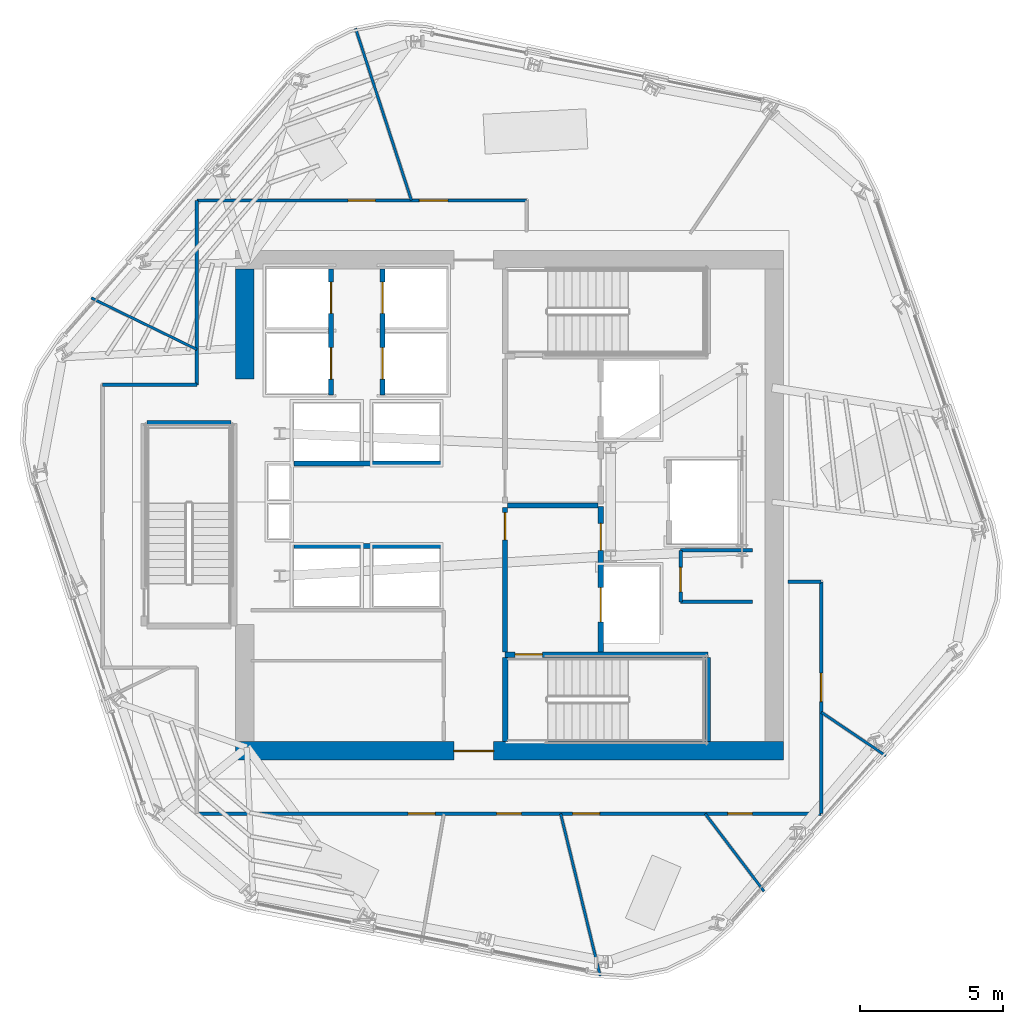
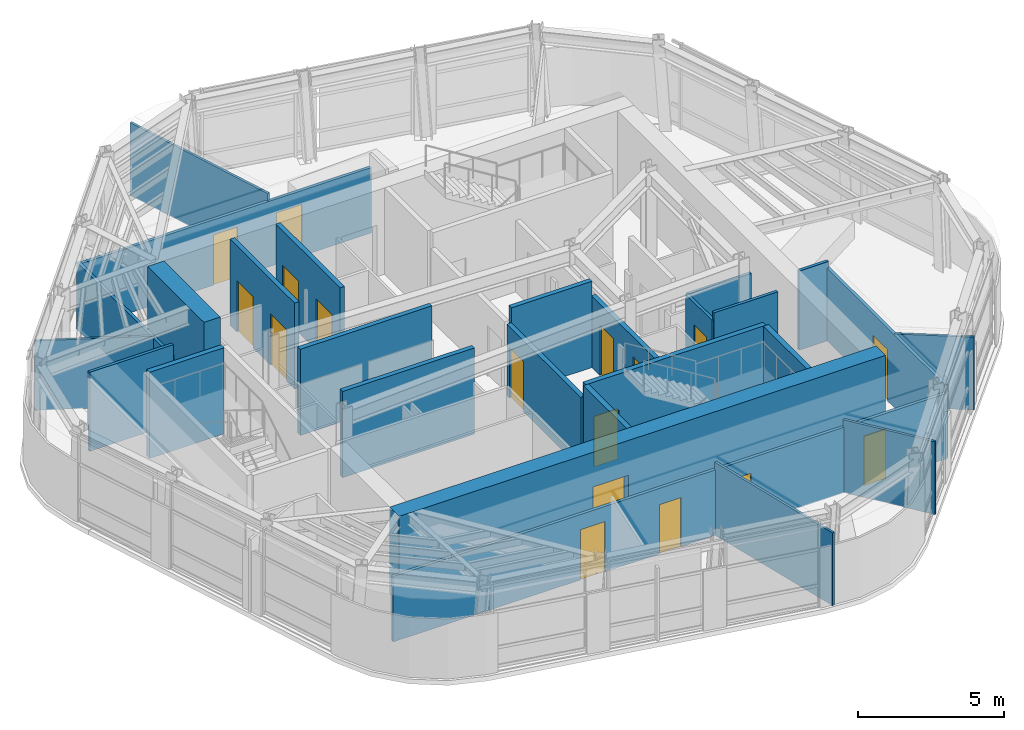
# One storey, part 6 of 12: 27 walls, 17 doors, 17 openings.
"""IFC4 building model written with IfcOpenShell, lengths in metres."""

from ifc_helpers import new_model, si_unit, direction, frame, frame_2d, origin, place, context, subcontext, project, spatial, rectangle, extrude, material, layer, layer_set, type_object, element, fill, save


model = new_model("IFC4")

# Units and contexts
model_context = context("Model", 3, precision=1e-05, world=origin(), true_north=direction((0.0, 1.0)))
body_context = subcontext(model_context, "Body", "Model", "MODEL_VIEW")
ifc_project = project(units=[si_unit("LENGTHUNIT", "METRE"), si_unit("AREAUNIT", "SQUARE_METRE"), si_unit("VOLUMEUNIT", "CUBIC_METRE"), si_unit("PLANEANGLEUNIT", "RADIAN"), si_unit("MASSUNIT", "GRAM", prefix="KILO")], contexts=[model_context])

# Site, building, storey
site_placement = place(None, origin())
site = spatial("IfcSite", under=ifc_project, at=site_placement, CompositionType="ELEMENT")
building_placement = place(site_placement, origin())
building = spatial("IfcBuilding", under=site, at=building_placement, Name="Valkerne Bourse Tower", CompositionType="ELEMENT")
storey_placement = place(building_placement, frame((0.0, 0.0, 232.199951171875)))
storey = spatial("IfcBuildingStorey", under=building, at=storey_placement, Name="L59", CompositionType="ELEMENT", Elevation=232.199951171875)

# Wall, opening, door
ifc_material_1 = material(Name="Concrete C55/67", Category="concrete")
ifc_layer_1 = layer(ifc_material_1, 0.64990234375)
ifc_layer_set_1 = layer_set([ifc_layer_1], Name="Concrete C55/67")
wall_type_1 = type_object("IfcWallType", Name="W-CORE-650", PredefinedType="SHEAR", material=ifc_layer_set_1)
wall_1_placement = place(storey_placement, frame((37.199951171875, 18.27490234375, 0.0), z_axis=(0.0, 0.0, 1.0), x_axis=(1.0, 0.0, 0.0)))
wall_1 = element("IfcWall", 1, at=wall_1_placement, inside=storey, type_object=wall_type_1, Name="L59 Core Shear Wall SOUTH", PredefinedType="SHEAR", context=body_context, shape_type="SweptSolid", body=[
    extrude(rectangle(XDim=19.199951171875, YDim=0.64990234375, at=frame_2d((9.60009765625, 0.0))), origin(), (0.0, 0.0, 1.0), 3.60009765625),
])
opening_1_placement = place(wall_1_placement, frame((7.64990234375, 0.0, 0.0)))
opening_1 = element("IfcOpeningElement", 2, at=opening_1_placement, cuts=wall_1, Name="Opening D-PL-1400", PredefinedType="OPENING", context=body_context, shape_type="SweptSolid", body=[
    extrude(rectangle(XDim=1.39990234375, YDim=2.14990234375, at=frame_2d((0.699951171875, 1.074951171875))), frame((0.0, 0.3349609375, 0.0), z_axis=(0.0, -1.0, 0.0), x_axis=(1.0, 0.0, 0.0)), (0.0, 0.0, 1.0), 0.669921875),
])
ifc_material_2 = material(Name="Galvanised Painted Steel", Category="steel")
door_type_1 = type_object("IfcDoorType", Name="DR-PLT-1400", OperationType="DOUBLE_DOOR_SINGLE_SWING", PredefinedType="DOOR", material=ifc_material_2)
door_1_placement = place(opening_1_placement, origin())
door_1 = element("IfcDoor", 3, at=door_1_placement, inside=storey, type_object=door_type_1, Name="L59 South Passenger Lift Hall Fire Door", OperationType="DOUBLE_DOOR_SINGLE_SWING", OverallHeight=2.14990234375, OverallWidth=1.39990234375, PredefinedType="DOOR", context=body_context, shape_type="SweptSolid", body=[
    extrude(rectangle(XDim=1.39990234375, YDim=2.14990234375, at=frame_2d((0.699951171875, 1.074951171875))), frame((0.0, 0.02490234375, 0.0), z_axis=(0.0, -1.0, 0.0), x_axis=(1.0, 0.0, 0.0)), (0.0, 0.0, 1.0), 0.050048828125),
])
fill(opening_1, door_1)

# Wall
wall_2_placement = place(storey_placement, frame((37.52490234375, 31.300048828125, 0.0), z_axis=(0.0, 0.0, 1.0), x_axis=(0.0, 1.0, 0.0)))
element("IfcWall", 4, at=wall_2_placement, inside=storey, type_object=wall_type_1, Name="L59 Core Shear Wall WEST-N", PredefinedType="SHEAR", context=body_context, shape_type="SweptSolid", body=[
    extrude(rectangle(XDim=3.849853515625, YDim=0.64990234375, at=frame_2d((1.9248046875, 0.0))), origin(), (0.0, 0.0, 1.0), 3.60009765625),
])

# Wall, opening, door
ifc_material_3 = material(Name="Gypsum Board Steel-Stud Partition", Category="steel")
ifc_layer_2 = layer(ifc_material_3, 0.117919921875)
ifc_layer_set_2 = layer_set([ifc_layer_2], Name="Gypsum Board Steel-Stud Partition")
wall_type_2 = type_object("IfcWallType", Name="W-CORR-140", PredefinedType="PARTITIONING", material=ifc_layer_set_2)
wall_3_placement = place(storey_placement, frame((52.800048828125, 23.5, 0.0), z_axis=(0.0, 0.0, 1.0), x_axis=(0.0, 1.0, 0.0)))
wall_3 = element("IfcWall", 5, at=wall_3_placement, inside=storey, type_object=wall_type_2, Name="L59 Core SE North-Bay West Wall", PredefinedType="PARTITIONING", context=body_context, shape_type="SweptSolid", body=[
    extrude(rectangle(XDim=1.800048828125, YDim=0.117919921875, at=frame_2d((0.89990234375, 0.0))), origin(), (0.0, 0.0, 1.0), 2.97802734375),
])
opening_2_placement = place(wall_3_placement, frame((0.35009765625, 0.0, 0.0)))
opening_2 = element("IfcOpeningElement", 6, at=opening_2_placement, cuts=wall_3, Name="Opening D-WC-900", PredefinedType="OPENING", context=body_context, shape_type="SweptSolid", body=[
    extrude(rectangle(XDim=0.860107421875, YDim=2.050048828125, at=frame_2d((0.43017578125, 1.02490234375))), frame((0.0, 0.06884765625, 0.0), z_axis=(0.0, -1.0, 0.0), x_axis=(1.0, 0.0, 0.0)), (0.0, 0.0, 1.0), 0.137939453125),
])
ifc_material_4 = material(Name="Architectural White Oak Timber", Category="wood")
door_type_2 = type_object("IfcDoorType", Name="DR-WC-900", OperationType="NOTDEFINED", PredefinedType="DOOR", material=ifc_material_4)
door_2_placement = place(opening_2_placement, origin())
door_2 = element("IfcDoor", 7, at=door_2_placement, inside=storey, type_object=door_type_2, Name="L59 Telecom Closet Door", OperationType="SINGLE_SWING_LEFT", OverallHeight=2.050048828125, OverallWidth=0.860107421875, PredefinedType="DOOR", context=body_context, shape_type="SweptSolid", body=[
    extrude(rectangle(XDim=0.860107421875, YDim=2.050048828125, at=frame_2d((0.43017578125, 1.02490234375))), frame((0.0, 0.02490234375, 0.0), z_axis=(0.0, -1.0, 0.0), x_axis=(1.0, 0.0, 0.0)), (0.0, 0.0, 1.0), 0.050048828125),
])
fill(opening_2, door_2)

# Walls
wall_4_placement = place(storey_placement, frame((52.800048828125, 23.5, 0.0), z_axis=(0.0, 0.0, 1.0), x_axis=(1.0, 0.0, 0.0)))
element("IfcWall", 8, at=wall_4_placement, inside=storey, type_object=wall_type_2, Name="L59 Core SE North-Bay South Wall", PredefinedType="PARTITIONING", context=body_context, shape_type="SweptSolid", body=[
    extrude(rectangle(XDim=2.52001953125, YDim=0.117919921875, at=frame_2d((1.260009765625, 0.0))), origin(), (0.0, 0.0, 1.0), 3.300048828125),
])
wall_5_placement = place(storey_placement, frame((52.800048828125, 25.300048828125, 0.0), z_axis=(0.0, 0.0, 1.0), x_axis=(1.0, 0.0, 0.0)))
element("IfcWall", 9, at=wall_5_placement, inside=storey, type_object=wall_type_2, Name="L59 Core SE North-Bay North Wall", PredefinedType="PARTITIONING", context=body_context, shape_type="SweptSolid", body=[
    extrude(rectangle(XDim=2.52001953125, YDim=0.117919921875, at=frame_2d((1.260009765625, 0.0))), origin(), (0.0, 0.0, 1.0), 2.97802734375),
])
wall_6_placement = place(storey_placement, frame((32.550048828125, 31.10009765625, 0.0), z_axis=(0.0, 0.0, 1.0), x_axis=(1.0, 0.0, 0.0)))
element("IfcWall", 10, at=wall_6_placement, inside=storey, type_object=wall_type_2, Name="L59 Corridor Enclosure Wall", PredefinedType="PARTITIONING", context=body_context, shape_type="SweptSolid", body=[
    extrude(rectangle(XDim=3.300048828125, YDim=0.117919921875, at=frame_2d((1.64990234375, 0.0))), origin(), (0.0, 0.0, 1.0), 3.300048828125),
])
wall_7_placement = place(storey_placement, frame((35.85009765625, 31.10009765625, 0.0), z_axis=(0.0, 0.0, 1.0), x_axis=(0.0, 1.0, 0.0)))
element("IfcWall", 11, at=wall_7_placement, inside=storey, type_object=wall_type_2, Name="L59 Corridor Enclosure Wall", PredefinedType="PARTITIONING", context=body_context, shape_type="SweptSolid", body=[
    extrude(rectangle(XDim=6.4599609375, YDim=0.117919921875, at=frame_2d((3.22998046875, 0.0))), origin(), (0.0, 0.0, 1.0), 2.820556640625),
])

# Wall, openings, doors
wall_8_placement = place(storey_placement, frame((35.85009765625, 37.56005859375, 0.0), z_axis=(0.0, 0.0, 1.0), x_axis=(1.0, 0.0, 0.0)))
wall_8 = element("IfcWall", 12, at=wall_8_placement, inside=storey, type_object=wall_type_2, Name="L59 Corridor Enclosure Wall", PredefinedType="PARTITIONING", context=body_context, shape_type="SweptSolid", body=[
    extrude(rectangle(XDim=11.5498046875, YDim=0.117919921875, at=frame_2d((5.77490234375, 0.0))), origin(), (0.0, 0.0, 1.0), 2.731689453125),
])
opening_3_placement = place(wall_8_placement, frame((5.300048828125, 0.0, 0.0)))
opening_3 = element("IfcOpeningElement", 13, at=opening_3_placement, cuts=wall_8, Name="Opening D-OF-950", PredefinedType="OPENING", context=body_context, shape_type="SweptSolid", body=[
    extrude(rectangle(XDim=0.949951171875, YDim=2.10009765625, at=frame_2d((0.47509765625, 1.050048828125))), frame((0.0, 0.06884765625, 0.0), z_axis=(0.0, -1.0, 0.0), x_axis=(1.0, 0.0, 0.0)), (0.0, 0.0, 1.0), 0.137939453125),
])
opening_4_placement = place(wall_8_placement, frame((7.794921875, 0.0, 0.0)))
opening_4 = element("IfcOpeningElement", 14, at=opening_4_placement, cuts=wall_8, Name="Opening D-MG-1000", PredefinedType="OPENING", context=body_context, shape_type="SweptSolid", body=[
    extrude(rectangle(XDim=1.0, YDim=2.14990234375, at=frame_2d((0.5, 1.074951171875))), frame((0.0, 0.06884765625, 0.0), z_axis=(0.0, -1.0, 0.0), x_axis=(1.0, 0.0, 0.0)), (0.0, 0.0, 1.0), 0.137939453125),
])
ifc_material_5 = material(Name="Laminated Tempered Safety Glass", Category="glass")
door_type_3 = type_object("IfcDoorType", Name="DR-MTG-1000", OperationType="NOTDEFINED", PredefinedType="DOOR", material=ifc_material_5)
door_3_placement = place(opening_4_placement, origin())
door_3 = element("IfcDoor", 15, at=door_3_placement, inside=storey, type_object=door_type_3, Name="L59 L59 Client Strategy Conference Room 7 Door", OperationType="SINGLE_SWING_RIGHT", OverallHeight=2.14990234375, OverallWidth=1.0, PredefinedType="DOOR", context=body_context, shape_type="SweptSolid", body=[
    extrude(rectangle(XDim=1.0, YDim=2.14990234375, at=frame_2d((0.5, 1.074951171875))), frame((0.0, 0.02490234375, 0.0), z_axis=(0.0, -1.0, 0.0), x_axis=(1.0, 0.0, 0.0)), (0.0, 0.0, 1.0), 0.050048828125),
])
fill(opening_4, door_3)
door_type_4 = type_object("IfcDoorType", Name="DR-OFF-950", OperationType="NOTDEFINED", PredefinedType="DOOR", material=ifc_material_4)
door_4_placement = place(opening_3_placement, origin())
door_4 = element("IfcDoor", 16, at=door_4_placement, inside=storey, type_object=door_type_4, Name="L59 L59 Exchange Security Control Room 5 Door", OperationType="SINGLE_SWING_RIGHT", OverallHeight=2.10009765625, OverallWidth=0.949951171875, PredefinedType="DOOR", context=body_context, shape_type="SweptSolid", body=[
    extrude(rectangle(XDim=0.949951171875, YDim=2.10009765625, at=frame_2d((0.47509765625, 1.050048828125))), frame((0.0, 0.02490234375, 0.0), z_axis=(0.0, -1.0, 0.0), x_axis=(1.0, 0.0, 0.0)), (0.0, 0.0, 1.0), 0.050048828125),
])
fill(opening_3, door_4)

# Wall
wall_9_placement = place(storey_placement, frame((56.56005859375, 24.199951171875, 0.0), z_axis=(0.0, 0.0, 1.0), x_axis=(1.0, 0.0, 0.0)))
element("IfcWall", 17, at=wall_9_placement, inside=storey, type_object=wall_type_2, Name="L59 Corridor Enclosure Wall", PredefinedType="PARTITIONING", context=body_context, shape_type="SweptSolid", body=[
    extrude(rectangle(XDim=1.159912109375, YDim=0.117919921875, at=frame_2d((0.580078125, 0.0))), origin(), (0.0, 0.0, 1.0), 3.300048828125),
])

# Wall, opening, door
wall_10_placement = place(storey_placement, frame((57.719970703125, 24.199951171875, 0.0), z_axis=(0.0, 0.0, 1.0), x_axis=(0.0, -1.0, 0.0)))
wall_10 = element("IfcWall", 18, at=wall_10_placement, inside=storey, type_object=wall_type_2, Name="L59 Corridor Enclosure Wall", PredefinedType="PARTITIONING", context=body_context, shape_type="SweptSolid", body=[
    extrude(rectangle(XDim=8.119873046875, YDim=0.117919921875, at=frame_2d((4.06005859375, 0.0))), origin(), (0.0, 0.0, 1.0), 3.036376953125),
])
opening_5_placement = place(wall_10_placement, frame((3.199951171875, 0.0, 0.0)))
opening_5 = element("IfcOpeningElement", 19, at=opening_5_placement, cuts=wall_10, Name="Opening D-MG-1000", PredefinedType="OPENING", context=body_context, shape_type="SweptSolid", body=[
    extrude(rectangle(XDim=1.0, YDim=2.14990234375, at=frame_2d((0.5, 1.074951171875))), frame((0.0, 0.06884765625, 0.0), z_axis=(0.0, -1.0, 0.0), x_axis=(1.0, 0.0, 0.0)), (0.0, 0.0, 1.0), 0.137939453125),
])
door_5_placement = place(opening_5_placement, origin())
door_5 = element("IfcDoor", 20, at=door_5_placement, inside=storey, type_object=door_type_3, Name="L59 L59 Client Strategy Conference Room 8 Door", OperationType="SINGLE_SWING_RIGHT", OverallHeight=2.14990234375, OverallWidth=1.0, PredefinedType="DOOR", context=body_context, shape_type="SweptSolid", body=[
    extrude(rectangle(XDim=1.0, YDim=2.14990234375, at=frame_2d((0.5, 1.074951171875))), frame((0.0, 0.02490234375, 0.0), z_axis=(0.0, -1.0, 0.0), x_axis=(1.0, 0.0, 0.0)), (0.0, 0.0, 1.0), 0.050048828125),
])
fill(opening_5, door_5)

# Wall, openings, doors
wall_11_placement = place(storey_placement, frame((57.719970703125, 16.080078125, 0.0), z_axis=(0.0, 0.0, 1.0), x_axis=(-1.0, 0.0, 0.0)))
wall_11 = element("IfcWall", 21, at=wall_11_placement, inside=storey, type_object=wall_type_2, Name="L59 Corridor Enclosure Wall", PredefinedType="PARTITIONING", context=body_context, shape_type="SweptSolid", body=[
    extrude(rectangle(XDim=21.869873046875, YDim=0.117919921875, at=frame_2d((10.93505859375, 0.0))), origin(), (0.0, 0.0, 1.0), 2.731689453125),
])
opening_6_placement = place(wall_11_placement, frame((2.405029296875, 0.0, 0.0)))
opening_6 = element("IfcOpeningElement", 22, at=opening_6_placement, cuts=wall_11, Name="Opening D-WC-900", PredefinedType="OPENING", context=body_context, shape_type="SweptSolid", body=[
    extrude(rectangle(XDim=0.860107421875, YDim=2.050048828125, at=frame_2d((0.43017578125, 1.02490234375))), frame((0.0, 0.06884765625, 0.0), z_axis=(0.0, -1.0, 0.0), x_axis=(1.0, 0.0, 0.0)), (0.0, 0.0, 1.0), 0.137939453125),
])
opening_7_placement = place(wall_11_placement, frame((10.5048828125, 0.0, 0.0)))
opening_7 = element("IfcOpeningElement", 23, at=opening_7_placement, cuts=wall_11, Name="Opening D-WC-900", PredefinedType="OPENING", context=body_context, shape_type="SweptSolid", body=[
    extrude(rectangle(XDim=0.860107421875, YDim=2.050048828125, at=frame_2d((0.43017578125, 1.02490234375))), frame((0.0, 0.06884765625, 0.0), z_axis=(0.0, -1.0, 0.0), x_axis=(1.0, 0.0, 0.0)), (0.0, 0.0, 1.0), 0.137939453125),
])
opening_8_placement = place(wall_11_placement, frame((7.760009765625, 0.0, 0.0)))
opening_8 = element("IfcOpeningElement", 24, at=opening_8_placement, cuts=wall_11, Name="Opening D-OF-950", PredefinedType="OPENING", context=body_context, shape_type="SweptSolid", body=[
    extrude(rectangle(XDim=0.949951171875, YDim=2.10009765625, at=frame_2d((0.47509765625, 1.050048828125))), frame((0.0, 0.06884765625, 0.0), z_axis=(0.0, -1.0, 0.0), x_axis=(1.0, 0.0, 0.0)), (0.0, 0.0, 1.0), 0.137939453125),
])
opening_9_placement = place(wall_11_placement, frame((13.52001953125, 0.0, 0.0)))
opening_9 = element("IfcOpeningElement", 25, at=opening_9_placement, cuts=wall_11, Name="Opening D-OF-950", PredefinedType="OPENING", context=body_context, shape_type="SweptSolid", body=[
    extrude(rectangle(XDim=0.949951171875, YDim=2.10009765625, at=frame_2d((0.47509765625, 1.050048828125))), frame((0.0, 0.06884765625, 0.0), z_axis=(0.0, -1.0, 0.0), x_axis=(1.0, 0.0, 0.0)), (0.0, 0.0, 1.0), 0.137939453125),
])
door_6_placement = place(opening_8_placement, origin())
door_6 = element("IfcDoor", 26, at=door_6_placement, inside=storey, type_object=door_type_4, Name="L59 L59 Commodities Market Showroom 3 Door", OperationType="SINGLE_SWING_LEFT", OverallHeight=2.10009765625, OverallWidth=0.949951171875, PredefinedType="DOOR", context=body_context, shape_type="SweptSolid", body=[
    extrude(rectangle(XDim=0.949951171875, YDim=2.10009765625, at=frame_2d((0.47509765625, 1.050048828125))), frame((0.0, 0.02490234375, 0.0), z_axis=(0.0, -1.0, 0.0), x_axis=(1.0, 0.0, 0.0)), (0.0, 0.0, 1.0), 0.050048828125),
])
fill(opening_8, door_6)
door_7_placement = place(opening_9_placement, origin())
door_7 = element("IfcDoor", 27, at=door_7_placement, inside=storey, type_object=door_type_4, Name="L59 L59 Exchange Security Control Room 6 Door", OperationType="SINGLE_SWING_RIGHT", OverallHeight=2.10009765625, OverallWidth=0.949951171875, PredefinedType="DOOR", context=body_context, shape_type="SweptSolid", body=[
    extrude(rectangle(XDim=0.949951171875, YDim=2.10009765625, at=frame_2d((0.47509765625, 1.050048828125))), frame((0.0, 0.02490234375, 0.0), z_axis=(0.0, -1.0, 0.0), x_axis=(1.0, 0.0, 0.0)), (0.0, 0.0, 1.0), 0.050048828125),
])
fill(opening_9, door_7)
door_8_placement = place(opening_6_placement, origin())
door_8 = element("IfcDoor", 28, at=door_8_placement, inside=storey, type_object=door_type_2, Name="L59 L59 Men Bathroom WC 1 Door", OperationType="SINGLE_SWING_LEFT", OverallHeight=2.050048828125, OverallWidth=0.860107421875, PredefinedType="DOOR", context=body_context, shape_type="SweptSolid", body=[
    extrude(rectangle(XDim=0.860107421875, YDim=2.050048828125, at=frame_2d((0.43017578125, 1.02490234375))), frame((0.0, 0.02490234375, 0.0), z_axis=(0.0, -1.0, 0.0), x_axis=(1.0, 0.0, 0.0)), (0.0, 0.0, 1.0), 0.050048828125),
])
fill(opening_6, door_8)
door_9_placement = place(opening_7_placement, origin())
door_9 = element("IfcDoor", 29, at=door_9_placement, inside=storey, type_object=door_type_2, Name="L59 L59 Women Restroom & Shower WC 2 Door", OperationType="SINGLE_SWING_LEFT", OverallHeight=2.050048828125, OverallWidth=0.860107421875, PredefinedType="DOOR", context=body_context, shape_type="SweptSolid", body=[
    extrude(rectangle(XDim=0.860107421875, YDim=2.050048828125, at=frame_2d((0.43017578125, 1.02490234375))), frame((0.0, 0.02490234375, 0.0), z_axis=(0.0, -1.0, 0.0), x_axis=(1.0, 0.0, 0.0)), (0.0, 0.0, 1.0), 0.050048828125),
])
fill(opening_7, door_9)

# Wall
ifc_material_6 = material(Name="Gypsum Fire-Rated Shaftwall", Category="gypsum")
ifc_layer_3 = layer(ifc_material_6, 0.179931640625)
ifc_layer_set_3 = layer_set([ifc_layer_3], Name="Gypsum Fire-Rated Shaftwall")
wall_type_3 = type_object("IfcWallType", Name="W-FSAE-180", PredefinedType="PARTITIONING", material=ifc_layer_set_3)
wall_12_placement = place(storey_placement, frame((46.739990234375, 26.8798828125, 0.0), z_axis=(0.0, 0.0, 1.0), x_axis=(1.0, 0.0, 0.0)))
element("IfcWall", 30, at=wall_12_placement, inside=storey, type_object=wall_type_3, Name="L59 FSAE-1/2 Lobby Dividing Fire Wall", PredefinedType="PARTITIONING", context=body_context, shape_type="SweptSolid", body=[
    extrude(rectangle(XDim=3.169921875, YDim=0.179931640625, at=frame_2d((1.5849609375, 0.0))), origin(), (0.0, 0.0, 1.0), 3.60009765625),
])

# Wall, opening, door
wall_13_placement = place(storey_placement, frame((46.64990234375, 21.75, 0.0), z_axis=(0.0, 0.0, 1.0), x_axis=(0.0, 1.0, 0.0)))
wall_13 = element("IfcWall", 31, at=wall_13_placement, inside=storey, type_object=wall_type_3, Name="L59 FSAE-1 Lobby West Fire Wall", PredefinedType="PARTITIONING", context=body_context, shape_type="SweptSolid", body=[
    extrude(rectangle(XDim=5.050048828125, YDim=0.179931640625, at=frame_2d((2.52490234375, 0.0))), origin(), (0.0, 0.0, 1.0), 2.97802734375),
])
opening_10_placement = place(wall_13_placement, frame((3.919921875, 0.0, 0.0)))
opening_10 = element("IfcOpeningElement", 32, at=opening_10_placement, cuts=wall_13, Name="Opening D-FS-950", PredefinedType="OPENING", context=body_context, shape_type="SweptSolid", body=[
    extrude(rectangle(XDim=0.949951171875, YDim=2.10009765625, at=frame_2d((0.47509765625, 1.050048828125))), frame((0.0, 0.099853515625, 0.0), z_axis=(0.0, -1.0, 0.0), x_axis=(1.0, 0.0, 0.0)), (0.0, 0.0, 1.0), 0.199951171875),
])
door_type_5 = type_object("IfcDoorType", Name="DR-FSAE-950", OperationType="NOTDEFINED", PredefinedType="DOOR", material=ifc_material_2)
door_10_placement = place(opening_10_placement, origin())
door_10 = element("IfcDoor", 33, at=door_10_placement, inside=storey, type_object=door_type_5, Name="L59 FSAE-1 Hall Link Fire Door", OperationType="SINGLE_SWING_RIGHT", OverallHeight=2.10009765625, OverallWidth=0.949951171875, PredefinedType="DOOR", context=body_context, shape_type="SweptSolid", body=[
    extrude(rectangle(XDim=0.949951171875, YDim=2.10009765625, at=frame_2d((0.47509765625, 1.050048828125))), frame((0.0, 0.02490234375, 0.0), z_axis=(0.0, -1.0, 0.0), x_axis=(1.0, 0.0, 0.0)), (0.0, 0.0, 1.0), 0.050048828125),
])
fill(opening_10, door_10)

# Wall, openings, doors
wall_14_placement = place(storey_placement, frame((50.0, 21.75, 0.0), z_axis=(0.0, 0.0, 1.0), x_axis=(0.0, 1.0, 0.0)))
wall_14 = element("IfcWall", 34, at=wall_14_placement, inside=storey, type_object=wall_type_3, Name="L59 FSAE-1 Lobby & Shaft Front Wall", PredefinedType="PARTITIONING", context=body_context, shape_type="SweptSolid", body=[
    extrude(rectangle(XDim=5.090087890625, YDim=0.179931640625, at=frame_2d((2.544921875, 0.0))), origin(), (0.0, 0.0, 1.0), 2.97802734375),
])
opening_11_placement = place(wall_14_placement, frame((1.050048828125, 0.0, 0.0)))
opening_11 = element("IfcOpeningElement", 35, at=opening_11_placement, cuts=wall_14, Name="Opening LD-1200", PredefinedType="OPENING", context=body_context, shape_type="SweptSolid", body=[
    extrude(rectangle(XDim=1.199951171875, YDim=2.14990234375, at=frame_2d((0.60009765625, 1.074951171875))), frame((0.0, 0.099853515625, 0.0), z_axis=(0.0, -1.0, 0.0), x_axis=(1.0, 0.0, 0.0)), (0.0, 0.0, 1.0), 0.199951171875),
])
opening_12_placement = place(wall_14_placement, frame((3.550048828125, 0.0, 0.0)))
opening_12 = element("IfcOpeningElement", 36, at=opening_12_placement, cuts=wall_14, Name="Opening D-FS-950", PredefinedType="OPENING", context=body_context, shape_type="SweptSolid", body=[
    extrude(rectangle(XDim=0.949951171875, YDim=2.10009765625, at=frame_2d((0.47509765625, 1.050048828125))), frame((0.0, 0.099853515625, 0.0), z_axis=(0.0, -1.0, 0.0), x_axis=(1.0, 0.0, 0.0)), (0.0, 0.0, 1.0), 0.199951171875),
])
door_11_placement = place(opening_12_placement, origin())
door_11 = element("IfcDoor", 37, at=door_11_placement, inside=storey, type_object=door_type_5, Name="L59 FSAE-1 Lobby Corridor Fire Door", OperationType="SINGLE_SWING_RIGHT", OverallHeight=2.10009765625, OverallWidth=0.949951171875, PredefinedType="DOOR", context=body_context, shape_type="SweptSolid", body=[
    extrude(rectangle(XDim=0.949951171875, YDim=2.10009765625, at=frame_2d((0.47509765625, 1.050048828125))), frame((0.0, 0.02490234375, 0.0), z_axis=(0.0, -1.0, 0.0), x_axis=(1.0, 0.0, 0.0)), (0.0, 0.0, 1.0), 0.050048828125),
])
fill(opening_12, door_11)
ifc_material_7 = material(Name="Stainless Steel AISI 316", Category="steel")
door_type_6 = type_object("IfcDoorType", Name="DR-LIFT-1200", OperationType="DOUBLE_DOOR_SLIDING", PredefinedType="DOOR", material=ifc_material_7)
door_12_placement = place(opening_11_placement, origin())
door_12 = element("IfcDoor", 38, at=door_12_placement, inside=storey, type_object=door_type_6, Name="L59 FSAE-1 Firefighting Lift Landing Door", OperationType="DOUBLE_DOOR_SLIDING", OverallHeight=2.14990234375, OverallWidth=1.199951171875, PredefinedType="DOOR", context=body_context, shape_type="SweptSolid", body=[
    extrude(rectangle(XDim=1.199951171875, YDim=2.14990234375, at=frame_2d((0.60009765625, 1.074951171875))), frame((0.0, 0.02490234375, 0.0), z_axis=(0.0, -1.0, 0.0), x_axis=(1.0, 0.0, 0.0)), (0.0, 0.0, 1.0), 0.050048828125),
])
fill(opening_11, door_12)

ifc_material_8 = material(Name="CMU Blockwork Masonry 200mm", Category="masonry")
ifc_layer_4 = layer(ifc_material_8, 0.179931640625)
ifc_layer_set_4 = layer_set([ifc_layer_4], Name="CMU Blockwork Masonry 200mm")
wall_type_4 = type_object("IfcWallType", Name="W-LFT-180", PredefinedType="SOLIDWALL", material=ifc_layer_set_4)
wall_15_placement = place(storey_placement, frame((40.550048828125, 30.75, 0.0), z_axis=(0.0, 0.0, 1.0), x_axis=(0.0, 1.0, 0.0)))
wall_15 = element("IfcWall", 39, at=wall_15_placement, inside=storey, type_object=wall_type_4, Name="L59 Mid-Zone West Cars Front Wall", PredefinedType="SOLIDWALL", context=body_context, shape_type="SweptSolid", body=[
    extrude(rectangle(XDim=4.39990234375, YDim=0.179931640625, at=frame_2d((2.199951171875, 0.0))), origin(), (0.0, 0.0, 1.0), 3.60009765625),
])
opening_13_placement = place(wall_15_placement, frame((0.550048828125, 0.0, 0.0)))
opening_13 = element("IfcOpeningElement", 40, at=opening_13_placement, cuts=wall_15, Name="Opening LD-1100", PredefinedType="OPENING", context=body_context, shape_type="SweptSolid", body=[
    extrude(rectangle(XDim=1.10009765625, YDim=2.14990234375, at=frame_2d((0.550048828125, 1.074951171875))), frame((0.0, 0.099853515625, 0.0), z_axis=(0.0, -1.0, 0.0), x_axis=(1.0, 0.0, 0.0)), (0.0, 0.0, 1.0), 0.199951171875),
])
opening_14_placement = place(wall_15_placement, frame((2.85009765625, 0.0, 0.0)))
opening_14 = element("IfcOpeningElement", 41, at=opening_14_placement, cuts=wall_15, Name="Opening LD-1100", PredefinedType="OPENING", context=body_context, shape_type="SweptSolid", body=[
    extrude(rectangle(XDim=1.10009765625, YDim=2.14990234375, at=frame_2d((0.550048828125, 1.074951171875))), frame((0.0, 0.099853515625, 0.0), z_axis=(0.0, -1.0, 0.0), x_axis=(1.0, 0.0, 0.0)), (0.0, 0.0, 1.0), 0.199951171875),
])
door_type_7 = type_object("IfcDoorType", Name="DR-LIFT-1100", OperationType="DOUBLE_DOOR_SLIDING", PredefinedType="DOOR", material=ifc_material_7)
door_13_placement = place(opening_13_placement, origin())
door_13 = element("IfcDoor", 42, at=door_13_placement, inside=storey, type_object=door_type_7, Name="L59 Passenger Lift PL-M1 Sliding Landing Door", OperationType="DOUBLE_DOOR_SLIDING", OverallHeight=2.14990234375, OverallWidth=1.10009765625, PredefinedType="DOOR", context=body_context, shape_type="SweptSolid", body=[
    extrude(rectangle(XDim=1.10009765625, YDim=2.14990234375, at=frame_2d((0.550048828125, 1.074951171875))), frame((0.0, 0.02490234375, 0.0), z_axis=(0.0, -1.0, 0.0), x_axis=(1.0, 0.0, 0.0)), (0.0, 0.0, 1.0), 0.050048828125),
])
fill(opening_13, door_13)
door_14_placement = place(opening_14_placement, origin())
door_14 = element("IfcDoor", 43, at=door_14_placement, inside=storey, type_object=door_type_7, Name="L59 Passenger Lift PL-M2 Sliding Landing Door", OperationType="DOUBLE_DOOR_SLIDING", OverallHeight=2.14990234375, OverallWidth=1.10009765625, PredefinedType="DOOR", context=body_context, shape_type="SweptSolid", body=[
    extrude(rectangle(XDim=1.10009765625, YDim=2.14990234375, at=frame_2d((0.550048828125, 1.074951171875))), frame((0.0, 0.02490234375, 0.0), z_axis=(0.0, -1.0, 0.0), x_axis=(1.0, 0.0, 0.0)), (0.0, 0.0, 1.0), 0.050048828125),
])
fill(opening_14, door_14)

wall_16_placement = place(storey_placement, frame((42.35009765625, 30.75, 0.0), z_axis=(0.0, 0.0, 1.0), x_axis=(0.0, 1.0, 0.0)))
wall_16 = element("IfcWall", 44, at=wall_16_placement, inside=storey, type_object=wall_type_4, Name="L59 Mid-Zone East Cars Front Wall", PredefinedType="SOLIDWALL", context=body_context, shape_type="SweptSolid", body=[
    extrude(rectangle(XDim=4.39990234375, YDim=0.179931640625, at=frame_2d((2.199951171875, 0.0))), origin(), (0.0, 0.0, 1.0), 3.60009765625),
])
opening_15_placement = place(wall_16_placement, frame((0.550048828125, 0.0, 0.0)))
opening_15 = element("IfcOpeningElement", 45, at=opening_15_placement, cuts=wall_16, Name="Opening LD-1100", PredefinedType="OPENING", context=body_context, shape_type="SweptSolid", body=[
    extrude(rectangle(XDim=1.10009765625, YDim=2.14990234375, at=frame_2d((0.550048828125, 1.074951171875))), frame((0.0, 0.099853515625, 0.0), z_axis=(0.0, -1.0, 0.0), x_axis=(1.0, 0.0, 0.0)), (0.0, 0.0, 1.0), 0.199951171875),
])
opening_16_placement = place(wall_16_placement, frame((2.85009765625, 0.0, 0.0)))
opening_16 = element("IfcOpeningElement", 46, at=opening_16_placement, cuts=wall_16, Name="Opening LD-1100", PredefinedType="OPENING", context=body_context, shape_type="SweptSolid", body=[
    extrude(rectangle(XDim=1.10009765625, YDim=2.14990234375, at=frame_2d((0.550048828125, 1.074951171875))), frame((0.0, 0.099853515625, 0.0), z_axis=(0.0, -1.0, 0.0), x_axis=(1.0, 0.0, 0.0)), (0.0, 0.0, 1.0), 0.199951171875),
])
door_15_placement = place(opening_15_placement, origin())
door_15 = element("IfcDoor", 47, at=door_15_placement, inside=storey, type_object=door_type_7, Name="L59 Passenger Lift PL-M3 Sliding Landing Door", OperationType="DOUBLE_DOOR_SLIDING", OverallHeight=2.14990234375, OverallWidth=1.10009765625, PredefinedType="DOOR", context=body_context, shape_type="SweptSolid", body=[
    extrude(rectangle(XDim=1.10009765625, YDim=2.14990234375, at=frame_2d((0.550048828125, 1.074951171875))), frame((0.0, 0.02490234375, 0.0), z_axis=(0.0, -1.0, 0.0), x_axis=(1.0, 0.0, 0.0)), (0.0, 0.0, 1.0), 0.050048828125),
])
fill(opening_15, door_15)
door_16_placement = place(opening_16_placement, origin())
door_16 = element("IfcDoor", 48, at=door_16_placement, inside=storey, type_object=door_type_7, Name="L59 Passenger Lift PL-M4 Sliding Landing Door", OperationType="DOUBLE_DOOR_SLIDING", OverallHeight=2.14990234375, OverallWidth=1.10009765625, PredefinedType="DOOR", context=body_context, shape_type="SweptSolid", body=[
    extrude(rectangle(XDim=1.10009765625, YDim=2.14990234375, at=frame_2d((0.550048828125, 1.074951171875))), frame((0.0, 0.02490234375, 0.0), z_axis=(0.0, -1.0, 0.0), x_axis=(1.0, 0.0, 0.0)), (0.0, 0.0, 1.0), 0.050048828125),
])
fill(opening_16, door_16)

# Walls
for number, where, z_axis, x_axis, name in (
    (49, (39.25, 25.449951171875, 0.0), (0.0, 0.0, 1.0), (1.0, 0.0, 0.0), "L59 High-Zone South Cars Front Wall"),
    (50, (39.25, 28.35009765625, 0.0), (0.0, 0.0, 1.0), (1.0, 0.0, 0.0), "L59 High-Zone North Cars Front Wall"),
):
    element("IfcWall", number, at=place(storey_placement, frame(where, z_axis=z_axis, x_axis=x_axis)), inside=storey, type_object=wall_type_4, Name=name, PredefinedType="SOLIDWALL", context=body_context, shape_type="SweptSolid", body=[
        extrude(rectangle(XDim=5.199951171875, YDim=0.179931640625, at=frame_2d((2.60009765625, 0.0))), origin(), (0.0, 0.0, 1.0), 3.60009765625),
    ])
ifc_layer_5 = layer(ifc_material_3, 0.092041015625)
ifc_layer_set_5 = layer_set([ifc_layer_5], Name="Gypsum Board Steel-Stud Partition")
wall_type_5 = type_object("IfcWallType", Name="W-PART-115", PredefinedType="PARTITIONING", material=ifc_layer_set_5)
wall_17_placement = place(storey_placement, frame((48.59521484375, 16.074951171875, 0.0), z_axis=(0.0, 0.0, 1.0), x_axis=(0.236805308949, -0.971557124236, 0.0)))
element("IfcWall", 51, at=wall_17_placement, inside=storey, type_object=wall_type_5, Name="L59 Suite Partition P02", PredefinedType="PARTITIONING", context=body_context, shape_type="SweptSolid", body=[
    extrude(rectangle(XDim=5.8486328125, YDim=0.092041015625, at=frame_2d((2.92431640625, 0.0))), origin(), (0.0, 0.0, 1.0), 3.036376953125),
])
wall_18_placement = place(storey_placement, frame((53.65771484375, 16.074951171875, 0.0), z_axis=(0.0, 0.0, 1.0), x_axis=(0.604587191833, -0.796538967955, 0.0)))
element("IfcWall", 52, at=wall_18_placement, inside=storey, type_object=wall_type_5, Name="L59 Suite Partition P03", PredefinedType="PARTITIONING", context=body_context, shape_type="SweptSolid", body=[
    extrude(rectangle(XDim=3.407470703125, YDim=0.092041015625, at=frame_2d((1.70361328125, 0.0))), origin(), (0.0, 0.0, 1.0), 3.036376953125),
])
wall_19_placement = place(storey_placement, frame((57.72509765625, 19.631103515625, 0.0), z_axis=(0.0, 0.0, 1.0), x_axis=(0.829007451492, -0.559237557189, 0.0)))
element("IfcWall", 53, at=wall_19_placement, inside=storey, type_object=wall_type_5, Name="L59 Suite Partition P04", PredefinedType="PARTITIONING", context=body_context, shape_type="SweptSolid", body=[
    extrude(rectangle(XDim=2.726806640625, YDim=0.092041015625, at=frame_2d((1.36328125, 0.0))), origin(), (0.0, 0.0, 1.0), 3.036376953125),
])
wall_20_placement = place(storey_placement, frame((43.3671875, 37.56494140625, 0.0), z_axis=(0.0, 0.0, 1.0), x_axis=(-0.309013722814, 0.951057579284, 0.0)))
element("IfcWall", 54, at=wall_20_placement, inside=storey, type_object=wall_type_5, Name="L59 Suite Partition P06", PredefinedType="PARTITIONING", context=body_context, shape_type="SweptSolid", body=[
    extrude(rectangle(XDim=6.333251953125, YDim=0.092041015625, at=frame_2d((3.16650390625, 0.0))), origin(), (0.0, 0.0, 1.0), 3.036376953125),
])
wall_21_placement = place(storey_placement, frame((35.844970703125, 32.343017578125, 0.0), z_axis=(0.0, 0.0, 1.0), x_axis=(-0.898795875544, 0.438367396262, 0.0)))
element("IfcWall", 55, at=wall_21_placement, inside=storey, type_object=wall_type_5, Name="L59 Suite Partition P07", PredefinedType="PARTITIONING", context=body_context, shape_type="SweptSolid", body=[
    extrude(rectangle(XDim=4.105712890625, YDim=0.092041015625, at=frame_2d((2.052734375, 0.0))), origin(), (0.0, 0.0, 1.0), 2.896728515625),
])

# Wall, opening, door
ifc_material_9 = material(Name="Concrete C40/50", Category="concrete")
ifc_layer_6 = layer(ifc_material_9, 0.199951171875)
ifc_layer_set_6 = layer_set([ifc_layer_6], Name="Concrete C40/50")
wall_type_6 = type_object("IfcWallType", Name="W-SHF-200", PredefinedType="SHEAR", material=ifc_layer_set_6)
wall_22_placement = place(storey_placement, frame((46.64990234375, 21.64990234375, 0.0), z_axis=(0.0, 0.0, 1.0), x_axis=(1.0, 0.0, 0.0)))
wall_22 = element("IfcWall", 56, at=wall_22_placement, inside=storey, type_object=wall_type_6, Name="L59 Exit Stair ST-1 Structural Shaft Wall North", PredefinedType="SHEAR", context=body_context, shape_type="SweptSolid", body=[
    extrude(rectangle(XDim=7.10009765625, YDim=0.199951171875, at=frame_2d((3.550048828125, 0.0))), origin(), (0.0, 0.0, 1.0), 3.60009765625),
])
opening_17_placement = place(wall_22_placement, frame((0.35009765625, 0.0, 0.0)))
opening_17 = element("IfcOpeningElement", 57, at=opening_17_placement, cuts=wall_22, Name="Opening D-ST-950", PredefinedType="OPENING", context=body_context, shape_type="SweptSolid", body=[
    extrude(rectangle(XDim=0.949951171875, YDim=2.10009765625, at=frame_2d((0.47509765625, 1.050048828125))), frame((0.0, 0.10986328125, 0.0), z_axis=(0.0, -1.0, 0.0), x_axis=(1.0, 0.0, 0.0)), (0.0, 0.0, 1.0), 0.219970703125),
])
door_type_8 = type_object("IfcDoorType", Name="DR-STAIR-950", OperationType="NOTDEFINED", PredefinedType="DOOR", material=ifc_material_2)
door_17_placement = place(opening_17_placement, origin())
door_17 = element("IfcDoor", 58, at=door_17_placement, inside=storey, type_object=door_type_8, Name="L59 Exit Stair ST-1 Door", OperationType="SINGLE_SWING_RIGHT", OverallHeight=2.10009765625, OverallWidth=0.949951171875, PredefinedType="DOOR", context=body_context, shape_type="SweptSolid", body=[
    extrude(rectangle(XDim=0.949951171875, YDim=2.10009765625, at=frame_2d((0.47509765625, 1.050048828125))), frame((0.0, 0.02490234375, 0.0), z_axis=(0.0, -1.0, 0.0), x_axis=(1.0, 0.0, 0.0)), (0.0, 0.0, 1.0), 0.050048828125),
])
fill(opening_17, door_17)

# Walls
for number, where, z_axis, x_axis, name in (
    (59, (46.64990234375, 18.60009765625, 0.0), (0.0, 0.0, 1.0), (0.0, 1.0, 0.0), "L59 Exit Stair ST-1 Structural Shaft Wall West"),
    (60, (53.75, 18.60009765625, 0.0), (0.0, 0.0, 1.0), (0.0, 1.0, 0.0), "L59 Exit Stair ST-1 Structural Shaft Wall East"),
    (61, (34.10009765625, 29.75, 0.0), (0.0, 0.0, 1.0), (1.0, 0.0, 0.0), "L59 Exit Stair ST-3 Structural Shaft Wall North"),
):
    element("IfcWall", number, at=place(storey_placement, frame(where, z_axis=z_axis, x_axis=x_axis)), inside=storey, type_object=wall_type_6, Name=name, PredefinedType="SHEAR", context=body_context, shape_type="SweptSolid", body=[
        extrude(rectangle(XDim=2.949951171875, YDim=0.199951171875, at=frame_2d((1.47509765625, 0.0))), origin(), (0.0, 0.0, 1.0), 3.60009765625),
    ])

save(model, "model.ifc")
